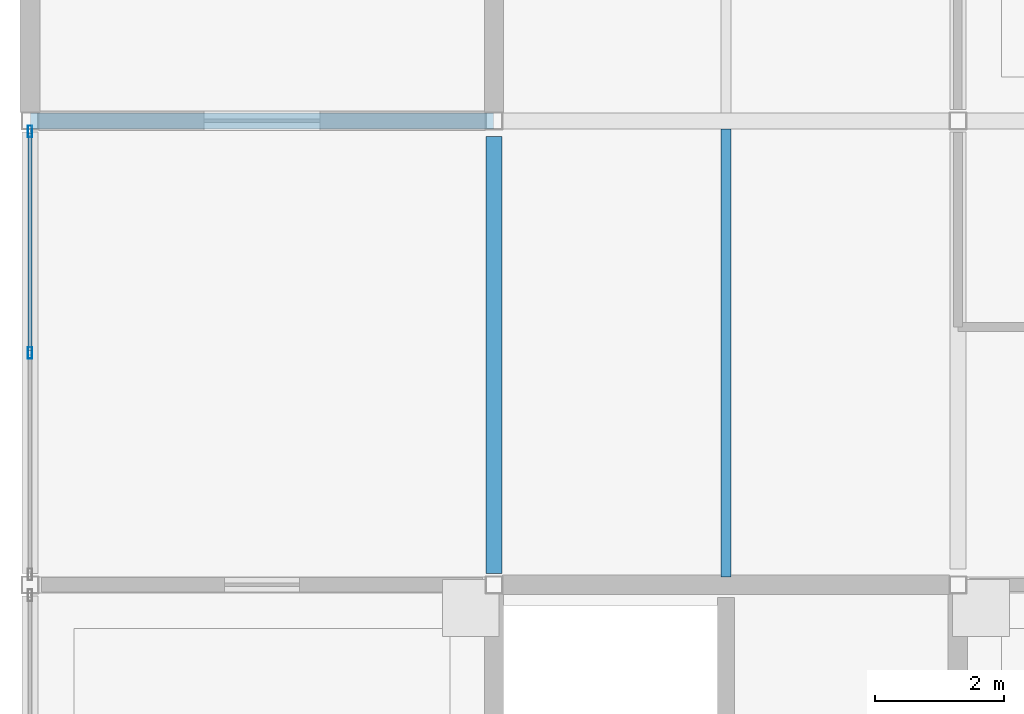
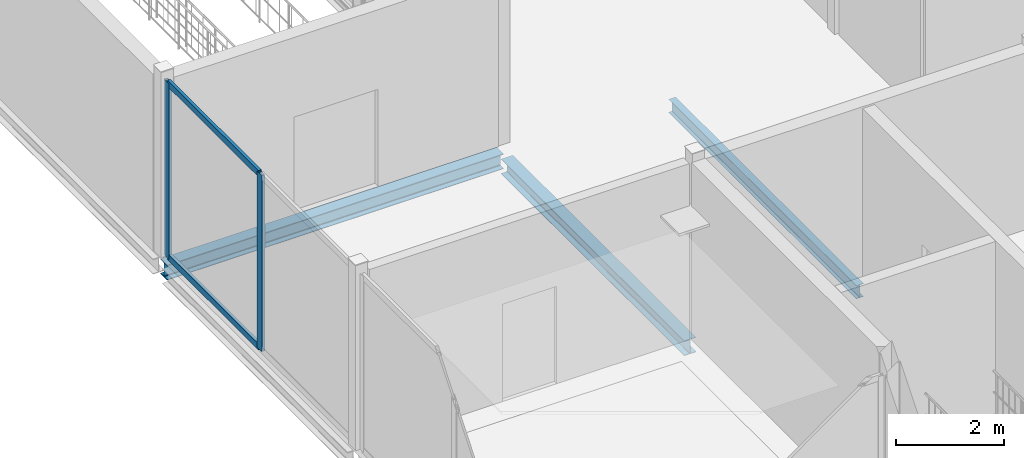
# One storey, part 9 of 18: 4 members, 3 beams, 1 element without a shape of its own.
"""IFC4 building model written with IfcOpenShell, lengths in metres."""

import ifcopenshell
import ifcopenshell.guid

model = None  # the IFC model being written
_history = None  # IfcOwnerHistory: only IFC2X3 demands one
_inside = {}  # id of a spatial element -> (the spatial element, [elements in it])
_under = {}  # id of a project, library or spatial element -> (it, [spatial elements below it])
_declared = {}  # id of a project -> (the project, [libraries it declares])
_typed = {}  # id of a type object -> (the type object, [elements of that type])
_made_of = {}  # id of a material, layer set ... -> (it, [elements and type objects made of it])


def new_model(schema):
    """Start an empty IFC model of exactly this schema.

    Asked for "IFC4X3", IfcOpenShell would pick the latest addendum, in which some entities
    have other attributes; the version numbers below select the first issue.
    IFC2X3 requires an IfcOwnerHistory on every rooted entity: one is made here for all.
    """
    global model, _history
    if schema == "IFC4X3":
        model = ifcopenshell.file(schema_version=(4, 3, 0, 0))
    else:
        model = ifcopenshell.file(schema=schema)
    _inside.clear()
    _under.clear()
    _declared.clear()
    _typed.clear()
    _made_of.clear()
    _history = None
    if model.schema == "IFC2X3":
        org = make("IfcOrganization", Name="unknown")
        user = make(
            "IfcPersonAndOrganization",
            ThePerson=make("IfcPerson", FamilyName="unknown"),
            TheOrganization=org,
        )
        app = make(
            "IfcApplication",
            ApplicationDeveloper=org,
            Version="unknown",
            ApplicationFullName="unknown",
            ApplicationIdentifier="unknown",
        )
        _history = make(
            "IfcOwnerHistory",
            OwningUser=user,
            OwningApplication=app,
            ChangeAction="ADDED",
            CreationDate=0,
        )
    return model


def make(cls, **values):
    """One entity of the class cls with the attributes given. An attribute that is None is left unset."""
    return model.create_entity(
        cls, **{name: value for name, value in values.items() if value is not None}
    )


def rooted(cls, **values):
    """An entity with a GlobalId (a new one), such as an element, a storey or a relation."""
    return make(cls, GlobalId=ifcopenshell.guid.new(), OwnerHistory=_history, **values)


def si_unit(unit_type, name, prefix=None):
    """IfcSIUnit, for example si_unit("LENGTHUNIT", "METRE", prefix="MILLI")."""
    return make("IfcSIUnit", UnitType=unit_type, Prefix=prefix, Name=name)


def assignment(units):
    """IfcUnitAssignment: the units of a project."""
    return None if units is None else make("IfcUnitAssignment", Units=units)


def point(xyz):
    """IfcCartesianPoint."""
    return None if xyz is None else make("IfcCartesianPoint", Coordinates=xyz)


def direction(xyz):
    """IfcDirection."""
    return None if xyz is None else make("IfcDirection", DirectionRatios=xyz)


def frame(location, z_axis=None, x_axis=None):
    """IfcAxis2Placement3D, a coordinate frame: its origin and axes. An axis left out is left unset."""
    return make(
        "IfcAxis2Placement3D",
        Location=point(location),
        Axis=direction(z_axis),
        RefDirection=direction(x_axis),
    )


def frame_2d(location, x_axis=None):
    """IfcAxis2Placement2D, a coordinate frame in the plane: its origin and x axis."""
    return make(
        "IfcAxis2Placement2D", Location=point(location), RefDirection=direction(x_axis)
    )


def origin():
    """The frame at (0, 0, 0) with its axes left unset."""
    return frame((0.0, 0.0, 0.0))


def origin_2d():
    """The frame at (0, 0) in the plane with its x axis left unset."""
    return frame_2d((0.0, 0.0))


def place(relative_to, where):
    """IfcLocalPlacement: puts the frame where relative to a parent placement (None: the world)."""
    return make(
        "IfcLocalPlacement", PlacementRelTo=relative_to, RelativePlacement=where
    )


def context(
    kind, dimensions, precision=None, world=None, true_north=None, identifier=None
):
    """IfcGeometricRepresentationContext, for example the 3D "Model" context."""
    return make(
        "IfcGeometricRepresentationContext",
        ContextIdentifier=identifier,
        ContextType=kind,
        CoordinateSpaceDimension=dimensions,
        Precision=precision,
        WorldCoordinateSystem=world,
        TrueNorth=true_north,
    )


def subcontext(parent, identifier, kind, view, scale=None):
    """IfcGeometricRepresentationSubContext, for example "Body" below "Model"."""
    return make(
        "IfcGeometricRepresentationSubContext",
        ContextIdentifier=identifier,
        ContextType=kind,
        ParentContext=parent,
        TargetScale=scale,
        TargetView=view,
    )


def project(units=None, contexts=None):
    """IfcProject with its units and contexts."""
    return rooted(
        "IfcProject",
        Name="project",
        RepresentationContexts=contexts,
        UnitsInContext=assignment(units),
    )


def spatial(cls, under=None, at=None, **own):
    """A site, building, storey or space (cls), placed at a placement, below another one or the project."""
    s = rooted(cls, ObjectPlacement=at, **own)
    if under is not None:
        _under.setdefault(under.id(), (under, []))[1].append(s)
    return s


def profile(cls, at=None, kind="AREA", **sizes):
    """A parametric profile (cls). Its sizes go by their IFC names, for example OverallWidth=200.0."""
    return make(cls, ProfileType=kind, Position=at, **sizes)


def hollow_rectangle(**sizes):
    """IfcRectangleHollowProfileDef."""
    return profile("IfcRectangleHollowProfileDef", **sizes)


def i_section(**sizes):
    """IfcIShapeProfileDef."""
    return profile("IfcIShapeProfileDef", **sizes)


def extrude(swept, where, along, depth):
    """IfcExtrudedAreaSolid: the profile swept, set in the frame where, extruded along a direction by depth."""
    return make(
        "IfcExtrudedAreaSolid",
        SweptArea=swept,
        Position=where,
        ExtrudedDirection=direction(along),
        Depth=depth,
    )


def shape(context_of_items, identifier, shape_type, items):
    """IfcShapeRepresentation: the items that make up one representation, for example the "Body"."""
    return make(
        "IfcShapeRepresentation",
        ContextOfItems=context_of_items,
        RepresentationIdentifier=identifier,
        RepresentationType=shape_type,
        Items=items,
    )


def material(Name=None, Category=None):
    """IfcMaterial."""
    return make("IfcMaterial", Name=Name, Category=Category)


def material_profile(
    of_material, cross_section, Name=None, Category=None, Priority=None
):
    """IfcMaterialProfile: a cross section and its material."""
    return make(
        "IfcMaterialProfile",
        Name=Name,
        Material=of_material,
        Profile=cross_section,
        Priority=Priority,
        Category=Category,
    )


def profile_set(profiles, Name=None, composite=None):
    """IfcMaterialProfileSet."""
    return make(
        "IfcMaterialProfileSet",
        Name=Name,
        MaterialProfiles=profiles,
        CompositeProfile=composite,
    )


def made_of(thing, what):
    """Note that an element or type object is made of a material, layer set ...; save() writes the relation."""
    if what is not None:
        _made_of.setdefault(what.id(), (what, []))[1].append(thing)
    return thing


def type_object(cls, material=None, **own):
    """A type object (cls), such as IfcWallType, which elements share."""
    return made_of(rooted(cls, **own), material)


def element(
    cls,
    number,
    at=None,
    inside=None,
    cuts=None,
    type_object=None,
    material=None,
    context=None,
    identifier="Body",
    shape_type=None,
    held_by="IfcProductDefinitionShape",
    body=None,
    shapes=None,
    **own,
):
    """One element of the class cls, such as IfcWall. Its Tag is "e" and its number.

    at: its placement. inside: the storey or other place that contains it. cuts: it is an
    opening in that element (IfcRelVoidsElement). A single representation is given by context,
    identifier, shape_type and body (its items); several are given by shapes. held_by: the class
    of the entity that holds the representations. save() writes the other relations.
    """
    e = rooted(cls, Tag="e%d" % number, ObjectPlacement=at, **own)
    if body is not None:
        shapes = [shape(context, identifier, shape_type, body)]
    if shapes is not None:
        e.Representation = make(held_by, Representations=shapes)
    if inside is not None:
        _inside.setdefault(inside.id(), (inside, []))[1].append(e)
    if cuts is not None:
        rooted(
            "IfcRelVoidsElement", RelatingBuildingElement=cuts, RelatedOpeningElement=e
        )
    if type_object is not None:
        _typed.setdefault(type_object.id(), (type_object, []))[1].append(e)
    return made_of(e, material)


def aggregate(whole, parts):
    """IfcRelAggregates: a whole, such as a stair, and the parts it consists of."""
    return rooted("IfcRelAggregates", RelatingObject=whole, RelatedObjects=parts)


def save(model, path):
    """Write the relations noted so far, then the file.

    IfcRelAggregates (storeys below a building ...), IfcRelContainedInSpatialStructure (elements
    in a storey), IfcRelDefinesByType, IfcRelAssociatesMaterial and IfcRelDeclares: one each for
    every whole, place, type object, material and project.
    """
    for whole, parts in _under.values():
        aggregate(whole, parts)
    for where, things in _inside.values():
        rooted(
            "IfcRelContainedInSpatialStructure",
            RelatedElements=things,
            RelatingStructure=where,
        )
    for kind, things in _typed.values():
        rooted("IfcRelDefinesByType", RelatedObjects=things, RelatingType=kind)
    for what, things in _made_of.values():
        rooted("IfcRelAssociatesMaterial", RelatedObjects=things, RelatingMaterial=what)
    for by, libraries in _declared.values():
        rooted("IfcRelDeclares", RelatingContext=by, RelatedDefinitions=libraries)
    model.write(path)


model = new_model("IFC4")

# Units and contexts
model_context = context("Model", 3, precision=1e-05, world=origin(), true_north=direction((0.0, 1.0)))
body_context = subcontext(model_context, "Body", "Model", "MODEL_VIEW")
ifc_project = project(units=[si_unit("LENGTHUNIT", "METRE"), si_unit("AREAUNIT", "SQUARE_METRE"), si_unit("VOLUMEUNIT", "CUBIC_METRE"), si_unit("PLANEANGLEUNIT", "RADIAN"), si_unit("MASSUNIT", "GRAM", prefix="KILO")], contexts=[model_context])

# Site, building, storey
site_placement = place(None, origin())
site = spatial("IfcSite", under=ifc_project, at=site_placement, CompositionType="ELEMENT")
building_placement = place(site_placement, origin())
building = spatial("IfcBuilding", under=site, at=building_placement, Name="Vesperath Aquatics Centre", CompositionType="ELEMENT")
storey_placement = place(building_placement, frame((0.0, 0.0, 23.39990234375)))
storey = spatial("IfcBuildingStorey", under=building, at=storey_placement, Name="L05", CompositionType="ELEMENT", Elevation=23.39990234375)

# Beams
ifc_material_1 = material(Name="Steel Q355C", Category="steel")
ifc_material_profile_1 = material_profile(ifc_material_1, i_section(OverallWidth=0.25, OverallDepth=0.340087890625, WebThickness=0.009033203125, FlangeThickness=0.013916015625, FilletRadius=0.02001953125, at=origin_2d()), Name="HM 340x250x9x14")
ifc_profile_set_1 = profile_set([ifc_material_profile_1], Name="Steel Q355C")
beam_type_1 = type_object("IfcBeamType", Name="BM-G12", PredefinedType="BEAM", material=ifc_profile_set_1)
beam_1_placement = place(storey_placement, frame((115.2060546875, 21.60009765625, -0.389892578125), z_axis=(1.0, 0.0, 0.0), x_axis=(0.0, 1.0, 0.0)))
element("IfcBeam", 1, at=beam_1_placement, inside=storey, type_object=beam_type_1, Name="Floor Girder B12 L05 D 17-18", PredefinedType="BEAM", context=body_context, shape_type="SweptSolid", body=[
    extrude(i_section(OverallWidth=0.25, OverallDepth=0.340087890625, WebThickness=0.009033203125, FlangeThickness=0.013916015625, FilletRadius=0.02001953125, at=origin_2d()), origin(), (0.0, 0.0, 1.0), 7.1884765625),
])
beam_2_placement = place(storey_placement, frame((122.39990234375, 14.574951171875, -0.389892578125), z_axis=(0.0, 1.0, 0.0), x_axis=(-1.0, 0.0, 0.0)))
element("IfcBeam", 2, at=beam_2_placement, inside=storey, type_object=beam_type_1, Name="Floor Girder B12 L05 18 C-D", PredefinedType="BEAM", context=body_context, shape_type="SweptSolid", body=[
    extrude(i_section(OverallWidth=0.25, OverallDepth=0.340087890625, WebThickness=0.009033203125, FlangeThickness=0.013916015625, FilletRadius=0.02001953125, at=origin_2d()), origin(), (0.0, 0.0, 1.0), 6.781005859375),
])
ifc_material_profile_2 = material_profile(ifc_material_1, i_section(OverallWidth=0.14990234375, OverallDepth=0.300048828125, WebThickness=0.006591796875, FlangeThickness=0.009033203125, FilletRadius=0.012939453125, at=origin_2d()), Name="HN 300x150x6.5x9")
ifc_profile_set_2 = profile_set([ifc_material_profile_2], Name="Steel Q355C")
beam_type_2 = type_object("IfcBeamType", Name="BM-J06", PredefinedType="JOIST", material=ifc_profile_set_2)
beam_3_placement = place(storey_placement, frame((126.0, 14.52490234375, -0.369873046875), z_axis=(0.0, 1.0, 0.0), x_axis=(-1.0, 0.0, 0.0)))
element("IfcBeam", 3, at=beam_3_placement, inside=storey, type_object=beam_type_2, Name="Secondary Floor Joist J06 L05 18/C", PredefinedType="JOIST", context=body_context, shape_type="SweptSolid", body=[
    extrude(i_section(OverallWidth=0.14990234375, OverallDepth=0.300048828125, WebThickness=0.006591796875, FlangeThickness=0.009033203125, FilletRadius=0.012939453125, at=origin_2d()), origin(), (0.0, 0.0, 1.0), 6.9501953125),
])

# Curtain wall, members
ifc_material_2 = material(Name="Thermally broken anodised bronze aluminium curtain wall", Category="aluminium")
curtain_wall_type = type_object("IfcCurtainWallType", Name="CW-07", PredefinedType="NOTDEFINED", material=ifc_material_2)
curtain_wall_placement = place(storey_placement, origin())
curtain_wall = element("IfcCurtainWall", 4, at=curtain_wall_placement, inside=storey, type_object=curtain_wall_type, Name="Facade Curtain Wall CW07 L05_W_16_02", PredefinedType="NOTDEFINED")
ifc_material_3 = material(Name="Thermally broken anodised aluminium", Category="aluminium")
ifc_material_profile_3 = material_profile(ifc_material_3, hollow_rectangle(XDim=0.06494140625, YDim=0.179931640625, WallThickness=0.00390625, at=origin_2d()), Name="CWM 65x180x4")
ifc_profile_set_3 = profile_set([ifc_material_profile_3], Name="Thermally broken anodised aluminium")
member_type_1 = type_object("IfcMemberType", Name="MB-CWM3", PredefinedType="MULLION", material=ifc_profile_set_3)
member_1_placement = place(storey_placement, frame((115.199951171875, 18.0, 0.0), z_axis=(0.0, 0.0, 1.0), x_axis=(-1.0, 0.0, 0.0)))
member_1 = element("IfcMember", 5, at=member_1_placement, type_object=member_type_1, Name="CW07 mullion 2", PredefinedType="MULLION", context=body_context, shape_type="SweptSolid", body=[
    extrude(hollow_rectangle(XDim=0.06494140625, YDim=0.179931640625, WallThickness=0.00390625, at=origin_2d()), origin(), (0.0, 0.0, 1.0), 3.97998046875),
])
member_2_placement = place(storey_placement, frame((115.199951171875, 21.4375, 0.0), z_axis=(0.0, 0.0, 1.0), x_axis=(-1.0, 0.0, 0.0)))
member_2 = element("IfcMember", 6, at=member_2_placement, type_object=member_type_1, Name="CW07 mullion 3", PredefinedType="MULLION", context=body_context, shape_type="SweptSolid", body=[
    extrude(hollow_rectangle(XDim=0.06494140625, YDim=0.179931640625, WallThickness=0.00390625, at=origin_2d()), origin(), (0.0, 0.0, 1.0), 3.97998046875),
])
ifc_material_profile_4 = material_profile(ifc_material_3, hollow_rectangle(XDim=0.06494140625, YDim=0.139892578125, WallThickness=0.00390625, at=origin_2d()), Name="CWT 65x140x4")
ifc_profile_set_4 = profile_set([ifc_material_profile_4], Name="Thermally broken anodised aluminium")
member_type_2 = type_object("IfcMemberType", Name="MB-CWT3", PredefinedType="USERDEFINED", material=ifc_profile_set_4)
member_3_placement = place(storey_placement, frame((115.199951171875, 18.032470703125, 0.03271484375), z_axis=(0.0, 1.0, 0.0), x_axis=(-1.0, 0.0, 0.0)))
member_3 = element("IfcMember", 7, at=member_3_placement, type_object=member_type_2, Name="CW07 transom 2.1", ObjectType="TRANSOM", PredefinedType="USERDEFINED", context=body_context, shape_type="SweptSolid", body=[
    extrude(hollow_rectangle(XDim=0.06494140625, YDim=0.139892578125, WallThickness=0.00390625, at=origin_2d()), origin(), (0.0, 0.0, 1.0), 3.37255859375),
])
member_4_placement = place(storey_placement, frame((115.199951171875, 18.032470703125, 3.947509765625), z_axis=(0.0, 1.0, 0.0), x_axis=(-1.0, 0.0, 0.0)))
member_4 = element("IfcMember", 8, at=member_4_placement, type_object=member_type_2, Name="CW07 transom 2.2", ObjectType="TRANSOM", PredefinedType="USERDEFINED", context=body_context, shape_type="SweptSolid", body=[
    extrude(hollow_rectangle(XDim=0.06494140625, YDim=0.139892578125, WallThickness=0.00390625, at=origin_2d()), origin(), (0.0, 0.0, 1.0), 3.37255859375),
])
aggregate(curtain_wall, [member_1, member_2, member_3, member_4])

save(model, "model.ifc")
